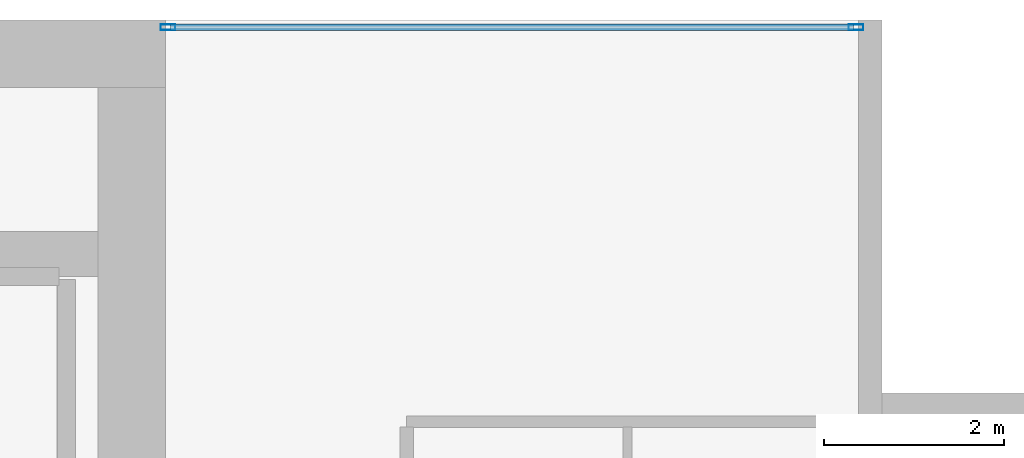
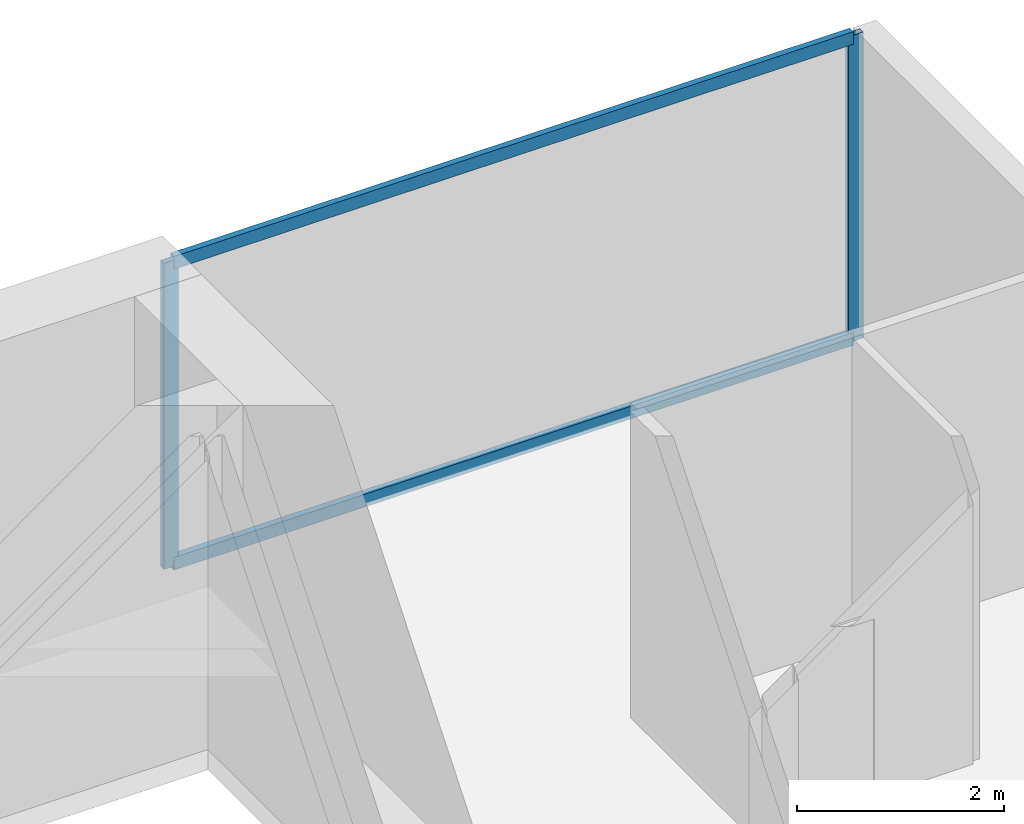
# One storey, part 25 of 33: 4 members, 1 element without a shape of its own.
"""IFC4 building model written with IfcOpenShell, lengths in metres."""

from ifc_helpers import new_model, si_unit, direction, frame, origin, origin_2d, place, context, subcontext, project, spatial, hollow_rectangle, extrude, material, layer, layer_set, material_profile, profile_set, type_object, element, aggregate, save


model = new_model("IFC4")

# Units and contexts
model_context = context("Model", 3, precision=1e-05, world=origin(), true_north=direction((0.0, 1.0)))
body_context = subcontext(model_context, "Body", "Model", "MODEL_VIEW")
ifc_project = project(units=[si_unit("LENGTHUNIT", "METRE"), si_unit("AREAUNIT", "SQUARE_METRE"), si_unit("VOLUMEUNIT", "CUBIC_METRE"), si_unit("PLANEANGLEUNIT", "RADIAN"), si_unit("MASSUNIT", "GRAM", prefix="KILO")], contexts=[model_context])

# Site, building, storey
site_placement = place(None, origin())
site = spatial("IfcSite", under=ifc_project, at=site_placement, CompositionType="ELEMENT")
building_placement = place(site_placement, origin())
building = spatial("IfcBuilding", under=site, at=building_placement, Name="Maruvema Waterfront Hotel and Observation Tower", CompositionType="ELEMENT")
storey_placement = place(building_placement, frame((0.0, 0.0, 200.550048828125)))
storey = spatial("IfcBuildingStorey", under=building, at=storey_placement, Name="L49", CompositionType="ELEMENT", Elevation=200.550048828125)

# Curtain wall, members
ifc_material_1 = material(Name="Anodised bronze aluminium and solar-control low-E IGU", Category="aluminium")
ifc_layer = layer(ifc_material_1, 0.159912109375, Name="Zone 2 Amber Inner Thermal Curtain Wall System CW-03")
ifc_layer_set = layer_set([ifc_layer], Name="Anodised bronze aluminium and solar-control low-E IGU")
curtain_wall_type = type_object("IfcCurtainWallType", Name="Zone 2 Amber Inner Thermal Curtain Wall System CW-03", PredefinedType="USERDEFINED", material=ifc_layer_set)
curtain_wall_placement = place(storey_placement, origin())
curtain_wall = element("IfcCurtainWall", 1, at=curtain_wall_placement, inside=storey, type_object=curtain_wall_type, Name="L49 Curtain Wall CW-L49-NE", ObjectType="UNITISED CURTAIN WALL", PredefinedType="USERDEFINED")
ifc_material_2 = material(Name="Anodised architectural bronze aluminium", Category="aluminium")
ifc_material_profile_1 = material_profile(ifc_material_2, hollow_rectangle(XDim=0.070068359375, YDim=0.14990234375, WallThickness=0.00390625, at=origin_2d()), Name="ALU-T70x150")
ifc_profile_set_1 = profile_set([ifc_material_profile_1], Name="Anodised architectural bronze aluminium")
member_type_1 = type_object("IfcMemberType", Name="Curtain Wall Horizontal Transom ALU-T70x150", PredefinedType="USERDEFINED", material=ifc_profile_set_1)
member_1_placement = place(storey_placement, frame((58.0400390625, 53.919921875, 0.030029296875), z_axis=(-1.0, 0.0, 0.0), x_axis=(0.0, -1.0, 0.0)))
member_1 = element("IfcMember", 2, at=member_1_placement, type_object=member_type_1, Name="CW-03 transom 1.1", ObjectType="TRANSOM", PredefinedType="USERDEFINED", context=body_context, shape_type="SweptSolid", body=[
    extrude(hollow_rectangle(XDim=0.070068359375, YDim=0.14990234375, WallThickness=0.00390625, at=origin_2d()), origin(), (0.0, 0.0, 1.0), 7.580078125),
])
member_2_placement = place(storey_placement, frame((58.0400390625, 53.919921875, 3.579833984375), z_axis=(-1.0, 0.0, 0.0), x_axis=(0.0, -1.0, 0.0)))
member_2 = element("IfcMember", 3, at=member_2_placement, type_object=member_type_1, Name="CW-03 transom 1.2", ObjectType="TRANSOM", PredefinedType="USERDEFINED", context=body_context, shape_type="SweptSolid", body=[
    extrude(hollow_rectangle(XDim=0.070068359375, YDim=0.14990234375, WallThickness=0.00390625, at=origin_2d()), origin(), (0.0, 0.0, 1.0), 7.580078125),
])
ifc_material_3 = material(Name="Anodised architectural bronze aluminium", Category="aluminium")
ifc_material_profile_2 = material_profile(ifc_material_3, hollow_rectangle(XDim=0.06494140625, YDim=0.1650390625, WallThickness=0.00390625, at=origin_2d()), Name="ALU-M65x165")
ifc_profile_set_2 = profile_set([ifc_material_profile_2], Name="Anodised architectural bronze aluminium")
member_type_2 = type_object("IfcMemberType", Name="Curtain Wall Primary Mullion ALU-M65x165", PredefinedType="MULLION", material=ifc_profile_set_2)
member_3_placement = place(storey_placement, frame((58.070068359375, 53.919921875, 0.0), z_axis=(0.0, 0.0, 1.0), x_axis=(0.0, -1.0, 0.0)))
member_3 = element("IfcMember", 4, at=member_3_placement, type_object=member_type_2, Name="CW-03 mullion 1", PredefinedType="MULLION", context=body_context, shape_type="SweptSolid", body=[
    extrude(hollow_rectangle(XDim=0.06494140625, YDim=0.1650390625, WallThickness=0.00390625, at=origin_2d()), origin(), (0.0, 0.0, 1.0), 3.60986328125),
])
member_4_placement = place(storey_placement, frame((50.429931640625, 53.919921875, 0.0), z_axis=(0.0, 0.0, 1.0), x_axis=(0.0, -1.0, 0.0)))
member_4 = element("IfcMember", 5, at=member_4_placement, type_object=member_type_2, Name="CW-03 mullion 2", PredefinedType="MULLION", context=body_context, shape_type="SweptSolid", body=[
    extrude(hollow_rectangle(XDim=0.06494140625, YDim=0.1650390625, WallThickness=0.00390625, at=origin_2d()), origin(), (0.0, 0.0, 1.0), 3.60986328125),
])
aggregate(curtain_wall, [member_3, member_4, member_1, member_2])

save(model, "model.ifc")
